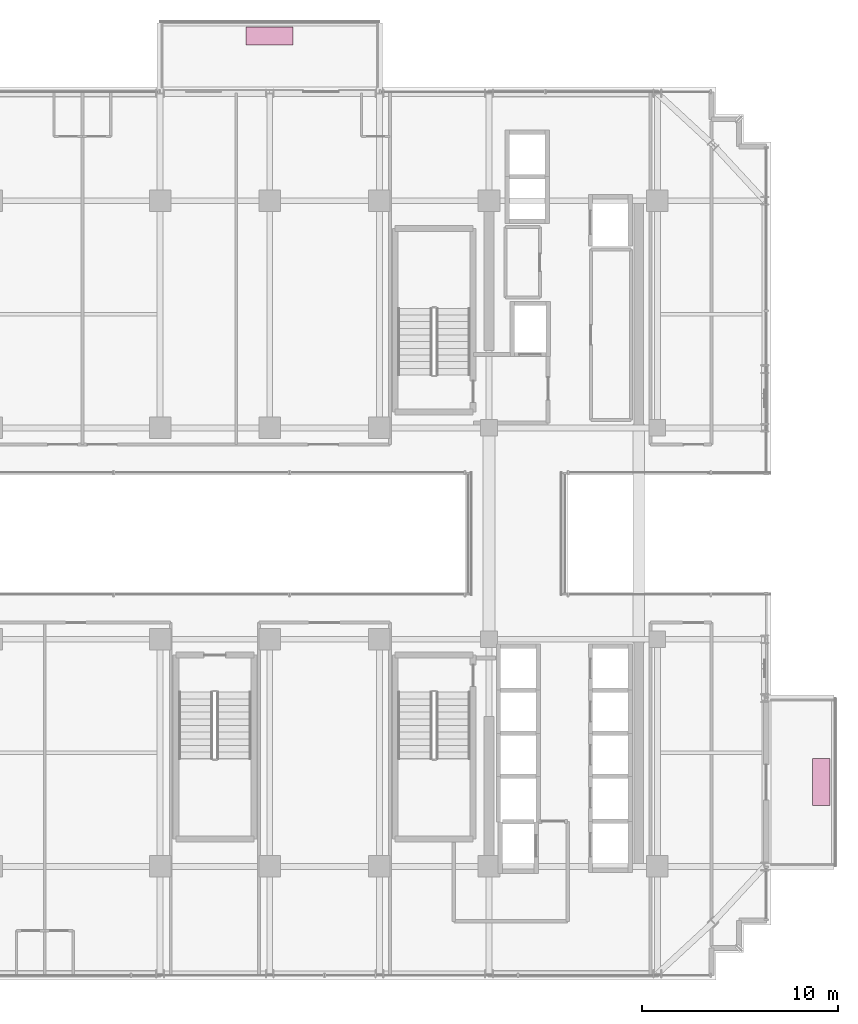
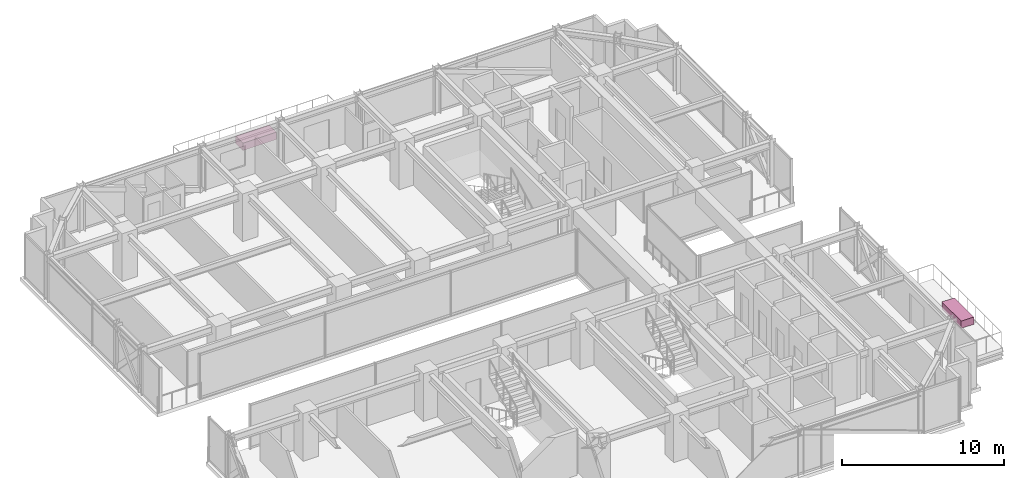
# One storey, part 41 of 41: 2 furnishings.
"""IFC4 building model written with IfcOpenShell, lengths in metres."""

from ifc_helpers import new_model, si_unit, direction, frame, origin, origin_2d, place, context, subcontext, project, spatial, rectangle, extrude, source, transform, mapped, material, type_object, element, save


model = new_model("IFC4")

# Units and contexts
model_context = context("Model", 3, precision=1e-05, world=origin(), true_north=direction((0.0, 1.0)))
body_context = subcontext(model_context, "Body", "Model", "MODEL_VIEW")
ifc_project = project(units=[si_unit("LENGTHUNIT", "METRE"), si_unit("AREAUNIT", "SQUARE_METRE"), si_unit("VOLUMEUNIT", "CUBIC_METRE"), si_unit("PLANEANGLEUNIT", "RADIAN"), si_unit("MASSUNIT", "GRAM", prefix="KILO")], contexts=[model_context])

# Site, building, storey
site_placement = place(None, origin())
site = spatial("IfcSite", under=ifc_project, at=site_placement, CompositionType="ELEMENT")
building_placement = place(site_placement, origin())
building = spatial("IfcBuilding", under=site, at=building_placement, Name="Nahalor Promenade Grand Hotel", CompositionType="ELEMENT")
storey_placement = place(building_placement, frame((0.0, 0.0, 159.949951171875)))
storey = spatial("IfcBuildingStorey", under=building, at=storey_placement, Name="L40", CompositionType="ELEMENT", Elevation=159.949951171875)

# Furnishings
ifc_material = material(Name="Vegetated Volcanic-Lapilli Tree Planter", Category="earth")
furnishing_element_type = type_object("IfcFurnishingElementType", Name="Planter-VerticalForest-Box", material=ifc_material)
shared_shape = source(origin(), body_context, "Body", "SweptSolid", [
    extrude(rectangle(XDim=2.39990234375, YDim=0.89990234375, at=origin_2d()), origin(), (0.0, 0.0, 1.0), 0.550048828125),
])
for number, where, z_axis, x_axis, name in (
    (1, (-2.800048828125, 25.409912109375, 0.0), (0.0, 0.0, 1.0), (1.0, 0.0, 0.0), "L40 Balcony Structural Tree Planter 1"),
    (2, (25.360107421875, -12.699951171875, 0.0), (0.0, 0.0, 1.0), (0.0, 1.0, 0.0), "L40 Balcony Structural Tree Planter 2"),
):
    element("IfcFurnishingElement", number, at=place(storey_placement, frame(where, z_axis=z_axis, x_axis=x_axis)), inside=storey, type_object=furnishing_element_type, Name=name, ObjectType="PLANTER", context=body_context, shape_type="MappedRepresentation", body=[
        mapped(shared_shape, transform((0.0, 0.0, 0.0), scale=1.0)),
    ])

save(model, "model.ifc")
